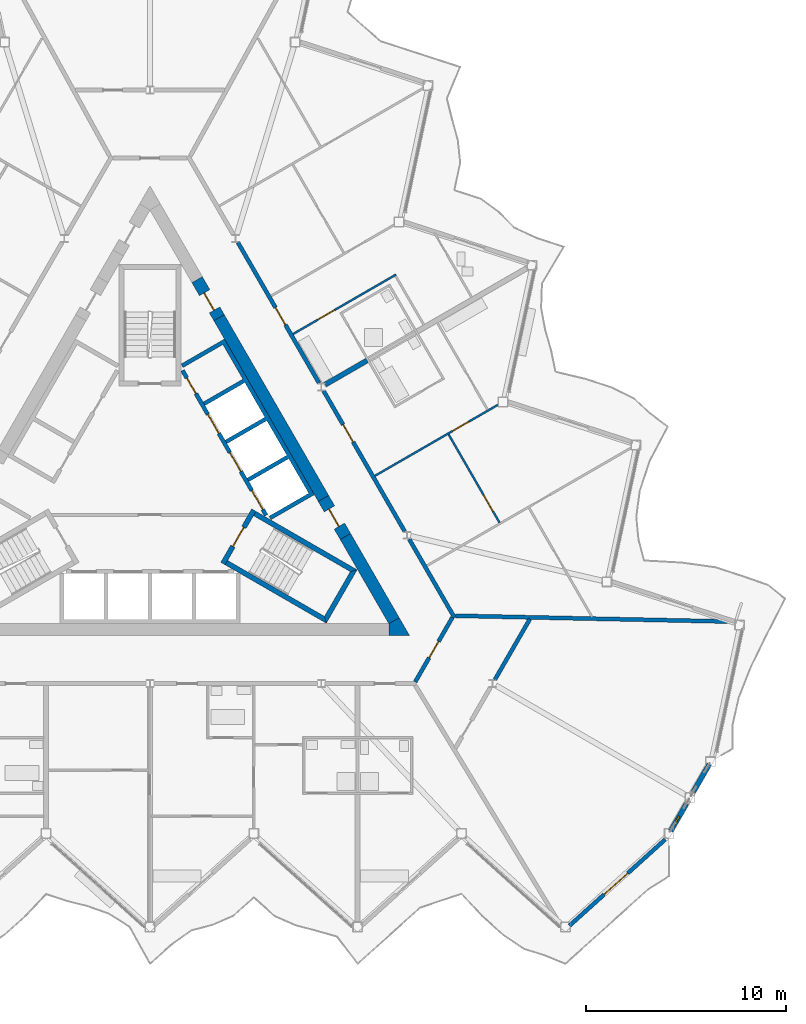
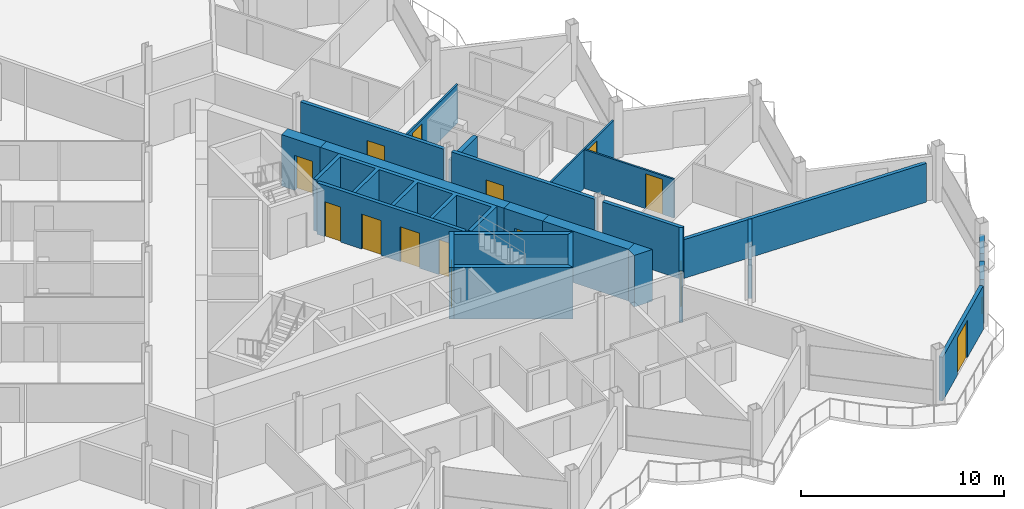
# One storey, part 15 of 25: 24 walls, 14 doors, 1 window, 15 openings.
"""IFC4 building model written with IfcOpenShell, lengths in metres."""

from ifc_helpers import new_model, si_unit, direction, frame, frame_2d, origin, place, context, subcontext, project, spatial, polyline, rectangle, outline, extrude, material, layer, layer_set, type_object, element, fill, save


model = new_model("IFC4")

# Units and contexts
model_context = context("Model", 3, precision=1e-05, world=origin(), true_north=direction((0.0, 1.0)))
body_context = subcontext(model_context, "Body", "Model", "MODEL_VIEW")
ifc_project = project(units=[si_unit("LENGTHUNIT", "METRE"), si_unit("AREAUNIT", "SQUARE_METRE"), si_unit("VOLUMEUNIT", "CUBIC_METRE"), si_unit("PLANEANGLEUNIT", "RADIAN"), si_unit("MASSUNIT", "GRAM", prefix="KILO")], contexts=[model_context])

# Site, building, storey
site_placement = place(None, origin())
site = spatial("IfcSite", under=ifc_project, at=site_placement, CompositionType="ELEMENT")
building_placement = place(site_placement, origin())
building = spatial("IfcBuilding", under=site, at=building_placement, Name="Cormorant Prow Tower", CompositionType="ELEMENT")
storey_placement = place(building_placement, frame((0.0, 0.0, 395.0)))
storey = spatial("IfcBuildingStorey", under=building, at=storey_placement, Name="L90", CompositionType="ELEMENT", Elevation=395.0)

# Walls
ifc_material_1 = material(Name="Concrete 8000 psi", Category="concrete")
ifc_layer_1 = layer(ifc_material_1, 0.60009765625)
ifc_layer_set_1 = layer_set([ifc_layer_1], Name="Concrete 8000 psi")
wall_type_1 = type_object("IfcWallType", Name="Core shear wall 600", PredefinedType="SHEAR", material=ifc_layer_set_1)
wall_1_placement = place(storey_placement, frame((8.686279296875, -0.6337890625, 0.0), z_axis=(0.0, 0.0, 1.0), x_axis=(-0.50001836461, 0.866014800712, 0.0)))
element("IfcWall", 1, at=wall_1_placement, inside=storey, type_object=wall_type_1, Name="Core wall", PredefinedType="SHEAR", context=body_context, shape_type="SweptSolid", body=[
    extrude(rectangle(XDim=10.45068359375, YDim=0.60009765625, at=frame_2d((5.225341796875, 0.0))), origin(), (0.0, 0.0, 1.0), 3.10009765625),
])
wall_2_placement = place(storey_placement, frame((12.220703125, -6.755615234375, 0.0), z_axis=(0.0, 0.0, 1.0), x_axis=(-0.50000604952, 0.866021911064, 0.0)))
element("IfcWall", 2, at=wall_2_placement, inside=storey, type_object=wall_type_1, Name="Core wall", PredefinedType="SHEAR", context=body_context, shape_type="SweptSolid", body=[
    extrude(rectangle(XDim=4.86865234375, YDim=0.60009765625, at=frame_2d((2.434326171875, 0.0))), origin(), (0.0, 0.0, 1.0), 3.10009765625),
])
wall_3_placement = place(storey_placement, origin())
element("IfcWall", 3, at=wall_3_placement, inside=storey, type_object=wall_type_1, Name="Core wall corner", PredefinedType="SHEAR", context=body_context, shape_type="SweptSolid", body=[
    extrude(outline(polyline([(11.960693359375, -7.505615234375), (11.960693359375, -6.905517578125), (12.48046875, -6.605712890625), (13.0, -7.505615234375), (11.960693359375, -7.505615234375)])), origin(), (0.0, 0.0, 1.0), 3.10009765625),
])

# Wall, opening, door
wall_4_placement = place(storey_placement, frame((9.786376953125, -2.539306640625, 0.0), z_axis=(0.0, 0.0, 1.0), x_axis=(-0.499981787252, 0.866035918664, 0.0)))
wall_4 = element("IfcWall", 4, at=wall_4_placement, inside=storey, type_object=wall_type_1, Name="Core wall door panel", PredefinedType="SHEAR", context=body_context, shape_type="SweptSolid", body=[
    extrude(rectangle(XDim=2.2001953125, YDim=0.60009765625, at=frame_2d((1.10009765625, 0.0))), origin(), (0.0, 0.0, 1.0), 3.10009765625),
])
opening_1_placement = place(wall_4_placement, frame((0.60009765625, 0.0, 0.0)))
opening_1 = element("IfcOpeningElement", 5, at=opening_1_placement, cuts=wall_4, Name="Opening L90-C16", PredefinedType="OPENING", context=body_context, shape_type="SweptSolid", body=[
    extrude(rectangle(XDim=1.0, YDim=2.10009765625, at=frame_2d((0.5, 1.050048828125))), frame((0.0, 0.31005859375, 0.0), z_axis=(0.0, -1.0, 0.0), x_axis=(1.0, 0.0, 0.0)), (0.0, 0.0, 1.0), 0.6201171875),
])
ifc_material_2 = material(Name="Painted steel", Category="steel")
door_type_1 = type_object("IfcDoorType", Name="Service door 1000x2100", OperationType="NOTDEFINED", PredefinedType="DOOR", material=ifc_material_2)
door_1_placement = place(opening_1_placement, origin())
door_1 = element("IfcDoor", 6, at=door_1_placement, inside=storey, type_object=door_type_1, Name="Core door, Telecom room", OperationType="SINGLE_SWING_LEFT", OverallHeight=2.10009765625, OverallWidth=1.0, PredefinedType="DOOR", context=body_context, shape_type="SweptSolid", body=[
    extrude(rectangle(XDim=1.0, YDim=2.10009765625, at=frame_2d((0.5, 1.050048828125))), frame((0.0, 0.05517578125, 0.0), z_axis=(0.0, -1.0, 0.0), x_axis=(1.0, 0.0, 0.0)), (0.0, 0.0, 1.0), 0.050048828125),
])
fill(opening_1, door_1)

wall_5_placement = place(storey_placement, frame((3.460693359375, 8.416748046875, 0.0), z_axis=(0.0, 0.0, 1.0), x_axis=(-0.499946605688, 0.86605622881, 0.0)))
wall_5 = element("IfcWall", 7, at=wall_5_placement, inside=storey, type_object=wall_type_1, Name="Core wall door panel", PredefinedType="SHEAR", context=body_context, shape_type="SweptSolid", body=[
    extrude(rectangle(XDim=2.199951171875, YDim=0.60009765625, at=frame_2d((1.10009765625, 0.0))), origin(), (0.0, 0.0, 1.0), 3.10009765625),
])
opening_2_placement = place(wall_5_placement, frame((0.449951171875, 0.0, 0.0)))
opening_2 = element("IfcOpeningElement", 8, at=opening_2_placement, cuts=wall_5, Name="Opening L90-C17", PredefinedType="OPENING", context=body_context, shape_type="SweptSolid", body=[
    extrude(rectangle(XDim=1.0, YDim=2.10009765625, at=frame_2d((0.5, 1.050048828125))), frame((0.0, 0.31005859375, 0.0), z_axis=(0.0, -1.0, 0.0), x_axis=(1.0, 0.0, 0.0)), (0.0, 0.0, 1.0), 0.6201171875),
])
door_2_placement = place(opening_2_placement, origin())
door_2 = element("IfcDoor", 9, at=door_2_placement, inside=storey, type_object=door_type_1, Name="Core door, Mechanical riser room", OperationType="SINGLE_SWING_RIGHT", OverallHeight=2.10009765625, OverallWidth=1.0, PredefinedType="DOOR", context=body_context, shape_type="SweptSolid", body=[
    extrude(rectangle(XDim=1.0, YDim=2.10009765625, at=frame_2d((0.5, 1.050048828125))), frame((0.0, 0.05517578125, 0.0), z_axis=(0.0, -1.0, 0.0), x_axis=(1.0, 0.0, 0.0)), (0.0, 0.0, 1.0), 0.050048828125),
])
fill(opening_2, door_2)

ifc_material_3 = material(Name="Gypsum board corridor wall")
ifc_layer_2 = layer(ifc_material_3, 0.199951171875)
ifc_layer_set_2 = layer_set([ifc_layer_2], Name="Gypsum board corridor wall")
wall_type_2 = type_object("IfcWallType", Name="Corridor wall 200", PredefinedType="PARTITIONING", material=ifc_layer_set_2)
wall_6_placement = place(storey_placement, frame((4.403076171875, 12.184814453125, 0.0), z_axis=(0.0, 0.0, 1.0), x_axis=(0.499992155518, -0.866029932751, 0.0)))
wall_6 = element("IfcWall", 10, at=wall_6_placement, inside=storey, type_object=wall_type_2, Name="Corridor wall", PredefinedType="PARTITIONING", context=body_context, shape_type="SweptSolid", body=[
    extrude(rectangle(XDim=8.123291015625, YDim=0.199951171875, at=frame_2d((4.0615234375, 0.0))), origin(), (0.0, 0.0, 1.0), 3.10009765625),
])
opening_3_placement = place(wall_6_placement, frame((3.762451171875, 0.0, 0.0)))
opening_3 = element("IfcOpeningElement", 11, at=opening_3_placement, cuts=wall_6, Name="Opening L90-F25", PredefinedType="OPENING", context=body_context, shape_type="SweptSolid", body=[
    extrude(rectangle(XDim=1.0, YDim=2.10009765625, at=frame_2d((0.5, 1.050048828125))), frame((0.0, 0.10986328125, 0.0), z_axis=(0.0, -1.0, 0.0), x_axis=(1.0, 0.0, 0.0)), (0.0, 0.0, 1.0), 0.219970703125),
])
ifc_material_4 = material(Name="Timber door leaf", Category="wood")
door_type_2 = type_object("IfcDoorType", Name="Flat or room entrance door 1000x2100", OperationType="NOTDEFINED", PredefinedType="DOOR", material=ifc_material_4)
door_3_placement = place(opening_3_placement, origin())
door_3 = element("IfcDoor", 12, at=door_3_placement, inside=storey, type_object=door_type_2, Name="Living room door", OperationType="SINGLE_SWING_LEFT", OverallHeight=2.10009765625, OverallWidth=1.0, PredefinedType="DOOR", context=body_context, shape_type="SweptSolid", body=[
    extrude(rectangle(XDim=1.0, YDim=2.10009765625, at=frame_2d((0.5, 1.050048828125))), frame((0.0, 0.02490234375, 0.0), z_axis=(0.0, -1.0, 0.0), x_axis=(1.0, 0.0, 0.0)), (0.0, 0.0, 1.0), 0.050048828125),
])
fill(opening_3, door_3)

wall_7_placement = place(storey_placement, frame((8.692138671875, 4.755859375, 0.0), z_axis=(0.0, 0.0, 1.0), x_axis=(0.500001682468, -0.866024432409, 0.0)))
wall_7 = element("IfcWall", 13, at=wall_7_placement, inside=storey, type_object=wall_type_2, Name="Corridor wall", PredefinedType="PARTITIONING", context=body_context, shape_type="SweptSolid", body=[
    extrude(rectangle(XDim=8.12353515625, YDim=0.199951171875, at=frame_2d((4.061767578125, 0.0))), origin(), (0.0, 0.0, 1.0), 3.10009765625),
])
opening_4_placement = place(wall_7_placement, frame((1.9560546875, 0.0, 0.0)))
opening_4 = element("IfcOpeningElement", 14, at=opening_4_placement, cuts=wall_7, Name="Opening L90-F18", PredefinedType="OPENING", context=body_context, shape_type="SweptSolid", body=[
    extrude(rectangle(XDim=1.0, YDim=2.10009765625, at=frame_2d((0.5, 1.050048828125))), frame((0.0, 0.10986328125, 0.0), z_axis=(0.0, -1.0, 0.0), x_axis=(1.0, 0.0, 0.0)), (0.0, 0.0, 1.0), 0.219970703125),
])
door_4_placement = place(opening_4_placement, origin())
door_4 = element("IfcDoor", 15, at=door_4_placement, inside=storey, type_object=door_type_2, Name="Living room door", OperationType="SINGLE_SWING_LEFT", OverallHeight=2.10009765625, OverallWidth=1.0, PredefinedType="DOOR", context=body_context, shape_type="SweptSolid", body=[
    extrude(rectangle(XDim=1.0, YDim=2.10009765625, at=frame_2d((0.5, 1.050048828125))), frame((0.0, 0.02490234375, 0.0), z_axis=(0.0, -1.0, 0.0), x_axis=(1.0, 0.0, 0.0)), (0.0, 0.0, 1.0), 0.050048828125),
])
fill(opening_4, door_4)

# Wall
wall_8_placement = place(storey_placement, frame((12.9814453125, -2.67333984375, 0.0), z_axis=(0.0, 0.0, 1.0), x_axis=(0.499974648164, -0.866040040179, 0.0)))
element("IfcWall", 16, at=wall_8_placement, inside=storey, type_object=wall_type_2, Name="Corridor wall", PredefinedType="PARTITIONING", context=body_context, shape_type="SweptSolid", body=[
    extrude(rectangle(XDim=4.525146484375, YDim=0.199951171875, at=frame_2d((2.2626953125, 0.0))), origin(), (0.0, 0.0, 1.0), 3.10009765625),
])

# Wall, opening, door
wall_9_placement = place(storey_placement, frame((13.281005859375, -9.819091796875, 0.0), z_axis=(0.0, 0.0, 1.0), x_axis=(0.499958791762, 0.866049194065, 0.0)))
wall_9 = element("IfcWall", 17, at=wall_9_placement, inside=storey, type_object=wall_type_2, Name="Corridor wall", PredefinedType="PARTITIONING", context=body_context, shape_type="SweptSolid", body=[
    extrude(rectangle(XDim=3.725830078125, YDim=0.199951171875, at=frame_2d((1.86279296875, 0.0))), origin(), (0.0, 0.0, 1.0), 3.10009765625),
])
opening_5_placement = place(wall_9_placement, frame((1.387939453125, 0.0, 0.0)))
opening_5 = element("IfcOpeningElement", 18, at=opening_5_placement, cuts=wall_9, Name="Opening L90-F16", PredefinedType="OPENING", context=body_context, shape_type="SweptSolid", body=[
    extrude(rectangle(XDim=0.949951171875, YDim=2.10009765625, at=frame_2d((0.47509765625, 1.050048828125))), frame((0.0, 0.10986328125, 0.0), z_axis=(0.0, -1.0, 0.0), x_axis=(1.0, 0.0, 0.0)), (0.0, 0.0, 1.0), 0.219970703125),
])
ifc_material_5 = material(Name="Timber door leaf", Category="wood")
door_type_3 = type_object("IfcDoorType", Name="Store door 950x2100", OperationType="NOTDEFINED", PredefinedType="DOOR", material=ifc_material_5)
door_5_placement = place(opening_5_placement, origin())
door_5 = element("IfcDoor", 19, at=door_5_placement, inside=storey, type_object=door_type_3, Name="Refuse room door", OperationType="SINGLE_SWING_RIGHT", OverallHeight=2.10009765625, OverallWidth=0.949951171875, PredefinedType="DOOR", context=body_context, shape_type="SweptSolid", body=[
    extrude(rectangle(XDim=0.949951171875, YDim=2.10009765625, at=frame_2d((0.47509765625, 1.050048828125))), frame((0.0, 0.02490234375, 0.0), z_axis=(0.0, -1.0, 0.0), x_axis=(1.0, 0.0, 0.0)), (0.0, 0.0, 1.0), 0.050048828125),
])
fill(opening_5, door_5)

# Walls
ifc_material_6 = material(Name="Gypsum board demising wall")
ifc_layer_3 = layer(ifc_material_6, 0.199951171875)
ifc_layer_set_3 = layer_set([ifc_layer_3], Name="Gypsum board demising wall")
wall_type_3 = type_object("IfcWallType", Name="Demising wall 200", PredefinedType="PARTITIONING", material=ifc_layer_set_3)
wall_10_placement = place(storey_placement, frame((15.2939453125, -6.507568359375, 0.0), z_axis=(0.0, 0.0, 1.0), x_axis=(0.999775726416, -0.02117774467, 0.0)))
element("IfcWall", 20, at=wall_10_placement, inside=storey, type_object=wall_type_3, Name="Demising wall", PredefinedType="PARTITIONING", context=body_context, shape_type="SweptSolid", body=[
    extrude(rectangle(XDim=13.637939453125, YDim=0.199951171875, at=frame_2d((6.81884765625, 0.0))), origin(), (0.0, 0.0, 1.0), 2.330078125),
])
wall_11_placement = place(storey_placement, frame((17.270751953125, -9.70849609375, 0.0), z_axis=(0.0, 0.0, 1.0), x_axis=(0.499983843005, 0.866034731829, 0.0)))
element("IfcWall", 21, at=wall_11_placement, inside=storey, type_object=wall_type_3, Name="Demising wall", PredefinedType="PARTITIONING", context=body_context, shape_type="SweptSolid", body=[
    extrude(rectangle(XDim=3.50341796875, YDim=0.199951171875, at=frame_2d((1.751708984375, 0.0))), origin(), (0.0, 0.0, 1.0), 2.330078125),
])

# Wall, opening, door
ifc_material_7 = material(Name="Gypsum board partition")
ifc_layer_4 = layer(ifc_material_7, 0.10009765625)
ifc_layer_set_4 = layer_set([ifc_layer_4], Name="Gypsum board partition")
wall_type_4 = type_object("IfcWallType", Name="Internal partition 100", PredefinedType="PARTITIONING", material=ifc_layer_set_4)
wall_12_placement = place(storey_placement, frame((11.26513671875, 0.49951171875, 0.0), z_axis=(0.0, 0.0, 1.0), x_axis=(0.866033839264, 0.499985389037, 0.0)))
wall_12 = element("IfcWall", 22, at=wall_12_placement, inside=storey, type_object=wall_type_4, Name="Internal partition", PredefinedType="PARTITIONING", context=body_context, shape_type="SweptSolid", body=[
    extrude(rectangle(XDim=7.099853515625, YDim=0.10009765625, at=frame_2d((3.5498046875, 0.0))), origin(), (0.0, 0.0, 1.0), 2.330078125),
])
opening_6_placement = place(wall_12_placement, frame((4.487548828125, 0.0, 0.0)))
opening_6 = element("IfcOpeningElement", 23, at=opening_6_placement, cuts=wall_12, Name="Opening L90-F21", PredefinedType="OPENING", context=body_context, shape_type="SweptSolid", body=[
    extrude(rectangle(XDim=0.949951171875, YDim=2.10009765625, at=frame_2d((0.47509765625, 1.050048828125))), frame((0.0, 0.06005859375, 0.0), z_axis=(0.0, -1.0, 0.0), x_axis=(1.0, 0.0, 0.0)), (0.0, 0.0, 1.0), 0.1201171875),
])
ifc_material_8 = material(Name="Timber door leaf", Category="wood")
door_type_4 = type_object("IfcDoorType", Name="Bathroom door 950x2100", OperationType="NOTDEFINED", PredefinedType="DOOR", material=ifc_material_8)
door_6_placement = place(opening_6_placement, origin())
door_6 = element("IfcDoor", 24, at=door_6_placement, inside=storey, type_object=door_type_4, Name="Living room door", OperationType="SINGLE_SWING_LEFT", OverallHeight=2.10009765625, OverallWidth=0.949951171875, PredefinedType="DOOR", context=body_context, shape_type="SweptSolid", body=[
    extrude(rectangle(XDim=0.949951171875, YDim=2.10009765625, at=frame_2d((0.47509765625, 1.050048828125))), frame((0.0, 0.02490234375, 0.0), z_axis=(0.0, -1.0, 0.0), x_axis=(1.0, 0.0, 0.0)), (0.0, 0.0, 1.0), 0.050048828125),
])
fill(opening_6, door_6)

wall_13_placement = place(storey_placement, frame((7.1650390625, 7.600830078125, 0.0), z_axis=(0.0, 0.0, 1.0), x_axis=(0.866017493347, 0.500013701029, 0.0)))
wall_13 = element("IfcWall", 25, at=wall_13_placement, inside=storey, type_object=wall_type_4, Name="Internal partition", PredefinedType="PARTITIONING", context=body_context, shape_type="SweptSolid", body=[
    extrude(rectangle(XDim=5.949951171875, YDim=0.10009765625, at=frame_2d((2.97509765625, 0.0))), origin(), (0.0, 0.0, 1.0), 2.330078125),
])
opening_7_placement = place(wall_13_placement, frame((1.449951171875, 0.0, 0.0)))
opening_7 = element("IfcOpeningElement", 26, at=opening_7_placement, cuts=wall_13, Name="Opening L90-F27", PredefinedType="OPENING", context=body_context, shape_type="SweptSolid", body=[
    extrude(rectangle(XDim=0.949951171875, YDim=2.10009765625, at=frame_2d((0.47509765625, 1.050048828125))), frame((0.0, 0.06005859375, 0.0), z_axis=(0.0, -1.0, 0.0), x_axis=(1.0, 0.0, 0.0)), (0.0, 0.0, 1.0), 0.1201171875),
])
door_7_placement = place(opening_7_placement, origin())
door_7 = element("IfcDoor", 27, at=door_7_placement, inside=storey, type_object=door_type_4, Name="Living room door", OperationType="SINGLE_SWING_RIGHT", OverallHeight=2.10009765625, OverallWidth=0.949951171875, PredefinedType="DOOR", context=body_context, shape_type="SweptSolid", body=[
    extrude(rectangle(XDim=0.949951171875, YDim=2.10009765625, at=frame_2d((0.47509765625, 1.050048828125))), frame((0.0, 0.02490234375, 0.0), z_axis=(0.0, -1.0, 0.0), x_axis=(1.0, 0.0, 0.0)), (0.0, 0.0, 1.0), 0.050048828125),
])
fill(opening_7, door_7)

wall_14_placement = place(storey_placement, frame((14.954345703125, 2.57177734375, 0.0), z_axis=(0.0, 0.0, 1.0), x_axis=(0.499984882974, -0.866034131428, 0.0)))
wall_14 = element("IfcWall", 28, at=wall_14_placement, inside=storey, type_object=wall_type_4, Name="Internal partition", PredefinedType="PARTITIONING", context=body_context, shape_type="SweptSolid", body=[
    extrude(rectangle(XDim=5.100341796875, YDim=0.10009765625, at=frame_2d((2.55029296875, 0.0))), origin(), (0.0, 0.0, 1.0), 2.330078125),
])
opening_8_placement = place(wall_14_placement, frame((3.494384765625, 0.0, 0.0)))
opening_8 = element("IfcOpeningElement", 29, at=opening_8_placement, cuts=wall_14, Name="Opening L90-F22", PredefinedType="OPENING", context=body_context, shape_type="SweptSolid", body=[
    extrude(rectangle(XDim=0.949951171875, YDim=2.10009765625, at=frame_2d((0.47509765625, 1.050048828125))), frame((0.0, 0.06005859375, 0.0), z_axis=(0.0, -1.0, 0.0), x_axis=(1.0, 0.0, 0.0)), (0.0, 0.0, 1.0), 0.1201171875),
])
door_8_placement = place(opening_8_placement, origin())
door_8 = element("IfcDoor", 30, at=door_8_placement, inside=storey, type_object=door_type_4, Name="Bedroom door", OperationType="SINGLE_SWING_RIGHT", OverallHeight=2.10009765625, OverallWidth=0.949951171875, PredefinedType="DOOR", context=body_context, shape_type="SweptSolid", body=[
    extrude(rectangle(XDim=0.949951171875, YDim=2.10009765625, at=frame_2d((0.47509765625, 1.050048828125))), frame((0.0, 0.02490234375, 0.0), z_axis=(0.0, -1.0, 0.0), x_axis=(1.0, 0.0, 0.0)), (0.0, 0.0, 1.0), 0.050048828125),
])
fill(opening_8, door_8)

# Wall, openings, doors
ifc_material_9 = material(Name="Concrete 5000 psi", Category="concrete")
ifc_layer_5 = layer(ifc_material_9, 0.199951171875)
ifc_layer_set_5 = layer_set([ifc_layer_5], Name="Concrete 5000 psi")
wall_type_5 = type_object("IfcWallType", Name="Lift lobby wall 200", PredefinedType="SOLIDWALL", material=ifc_layer_set_5)
wall_15_placement = place(storey_placement, frame((5.817138671875, -1.4755859375, 0.0), z_axis=(0.0, 0.0, 1.0), x_axis=(-0.500002616675, 0.866023893041, 0.0)))
wall_15 = element("IfcWall", 31, at=wall_15_placement, inside=storey, type_object=wall_type_5, Name="Lift lobby wall, ENE block", PredefinedType="SOLIDWALL", context=body_context, shape_type="SweptSolid", body=[
    extrude(rectangle(XDim=8.373046875, YDim=0.199951171875, at=frame_2d((4.1865234375, 0.0))), origin(), (0.0, 0.0, 1.0), 3.10009765625),
])
opening_9_placement = place(wall_15_placement, frame((0.336669921875, 0.0, 0.0)))
opening_9 = element("IfcOpeningElement", 32, at=opening_9_placement, cuts=wall_15, Name="Opening L90-C05", PredefinedType="OPENING", context=body_context, shape_type="SweptSolid", body=[
    extrude(rectangle(XDim=1.10009765625, YDim=2.10009765625, at=frame_2d((0.550048828125, 1.050048828125))), frame((0.0, 0.10986328125, 0.0), z_axis=(0.0, -1.0, 0.0), x_axis=(1.0, 0.0, 0.0)), (0.0, 0.0, 1.0), 0.219970703125),
])
opening_10_placement = place(wall_15_placement, frame((2.53662109375, 0.0, 0.0)))
opening_10 = element("IfcOpeningElement", 33, at=opening_10_placement, cuts=wall_15, Name="Opening L90-C06", PredefinedType="OPENING", context=body_context, shape_type="SweptSolid", body=[
    extrude(rectangle(XDim=1.10009765625, YDim=2.10009765625, at=frame_2d((0.550048828125, 1.050048828125))), frame((0.0, 0.10986328125, 0.0), z_axis=(0.0, -1.0, 0.0), x_axis=(1.0, 0.0, 0.0)), (0.0, 0.0, 1.0), 0.219970703125),
])
opening_11_placement = place(wall_15_placement, frame((4.736572265625, 0.0, 0.0)))
opening_11 = element("IfcOpeningElement", 34, at=opening_11_placement, cuts=wall_15, Name="Opening L90-C07", PredefinedType="OPENING", context=body_context, shape_type="SweptSolid", body=[
    extrude(rectangle(XDim=1.10009765625, YDim=2.10009765625, at=frame_2d((0.550048828125, 1.050048828125))), frame((0.0, 0.10986328125, 0.0), z_axis=(0.0, -1.0, 0.0), x_axis=(1.0, 0.0, 0.0)), (0.0, 0.0, 1.0), 0.219970703125),
])
opening_12_placement = place(wall_15_placement, frame((7.03662109375, 0.0, 0.0)))
opening_12 = element("IfcOpeningElement", 35, at=opening_12_placement, cuts=wall_15, Name="Opening L90-C08", PredefinedType="OPENING", context=body_context, shape_type="SweptSolid", body=[
    extrude(rectangle(XDim=0.89990234375, YDim=2.10009765625, at=frame_2d((0.449951171875, 1.050048828125))), frame((0.0, 0.10986328125, 0.0), z_axis=(0.0, -1.0, 0.0), x_axis=(1.0, 0.0, 0.0)), (0.0, 0.0, 1.0), 0.219970703125),
])
ifc_material_10 = material(Name="Painted steel", Category="steel")
door_type_5 = type_object("IfcDoorType", Name="Lift landing door 1100x2100", OperationType="SLIDING_TO_LEFT", PredefinedType="DOOR", material=ifc_material_10)
door_9_placement = place(opening_9_placement, origin())
door_9 = element("IfcDoor", 36, at=door_9_placement, inside=storey, type_object=door_type_5, Name="Landing door HR2", OperationType="SLIDING_TO_LEFT", OverallHeight=2.10009765625, OverallWidth=1.10009765625, PredefinedType="DOOR", context=body_context, shape_type="SweptSolid", body=[
    extrude(rectangle(XDim=1.10009765625, YDim=2.10009765625, at=frame_2d((0.550048828125, 1.050048828125))), frame((0.0, 0.02490234375, 0.0), z_axis=(0.0, -1.0, 0.0), x_axis=(1.0, 0.0, 0.0)), (0.0, 0.0, 1.0), 0.050048828125),
])
fill(opening_9, door_9)
door_10_placement = place(opening_10_placement, origin())
door_10 = element("IfcDoor", 37, at=door_10_placement, inside=storey, type_object=door_type_5, Name="Landing door HR3", OperationType="SLIDING_TO_LEFT", OverallHeight=2.10009765625, OverallWidth=1.10009765625, PredefinedType="DOOR", context=body_context, shape_type="SweptSolid", body=[
    extrude(rectangle(XDim=1.10009765625, YDim=2.10009765625, at=frame_2d((0.550048828125, 1.050048828125))), frame((0.0, 0.02490234375, 0.0), z_axis=(0.0, -1.0, 0.0), x_axis=(1.0, 0.0, 0.0)), (0.0, 0.0, 1.0), 0.050048828125),
])
fill(opening_10, door_10)
door_11_placement = place(opening_11_placement, origin())
door_11 = element("IfcDoor", 38, at=door_11_placement, inside=storey, type_object=door_type_5, Name="Landing door HR4", OperationType="SLIDING_TO_LEFT", OverallHeight=2.10009765625, OverallWidth=1.10009765625, PredefinedType="DOOR", context=body_context, shape_type="SweptSolid", body=[
    extrude(rectangle(XDim=1.10009765625, YDim=2.10009765625, at=frame_2d((0.550048828125, 1.050048828125))), frame((0.0, 0.02490234375, 0.0), z_axis=(0.0, -1.0, 0.0), x_axis=(1.0, 0.0, 0.0)), (0.0, 0.0, 1.0), 0.050048828125),
])
fill(opening_11, door_11)
ifc_material_11 = material(Name="Painted steel", Category="steel")
door_type_6 = type_object("IfcDoorType", Name="Service door 900x2100", OperationType="NOTDEFINED", PredefinedType="DOOR", material=ifc_material_11)
door_12_placement = place(opening_12_placement, origin())
door_12 = element("IfcDoor", 39, at=door_12_placement, inside=storey, type_object=door_type_6, Name="Service door, Telecom room", OperationType="SINGLE_SWING_RIGHT", OverallHeight=2.10009765625, OverallWidth=0.89990234375, PredefinedType="DOOR", context=body_context, shape_type="SweptSolid", body=[
    extrude(rectangle(XDim=0.89990234375, YDim=2.10009765625, at=frame_2d((0.449951171875, 1.050048828125))), frame((0.0, 0.02490234375, 0.0), z_axis=(0.0, -1.0, 0.0), x_axis=(1.0, 0.0, 0.0)), (0.0, 0.0, 1.0), 0.050048828125),
])
fill(opening_12, door_12)

# Walls
ifc_material_12 = material(Name="Concrete 8000 psi", Category="concrete")
ifc_layer_6 = layer(ifc_material_12, 0.199951171875)
ifc_layer_set_6 = layer_set([ifc_layer_6], Name="Concrete 8000 psi")
wall_type_6 = type_object("IfcWallType", Name="Lift shaft wall 200", PredefinedType="SHEAR", material=ifc_layer_set_6)
wall_16_placement = place(storey_placement, origin())
element("IfcWall", 40, at=wall_16_placement, inside=storey, type_object=wall_type_6, Name="Lift shaft walls, ENE block", PredefinedType="SHEAR", context=body_context, shape_type="SweptSolid", body=[
    extrude(outline(polyline([(1.560546875, 6.09716796875), (3.730712890625, 7.35009765625), (8.230712890625, -0.444091796875), (6.060546875, -1.697021484375), (5.96044921875, -1.52392578125), (7.952392578125, -0.373779296875), (6.952392578125, 1.358154296875), (4.96044921875, 0.2080078125), (4.860595703125, 0.38134765625), (6.852294921875, 1.53125), (5.852294921875, 3.263427734375), (3.860595703125, 2.11328125), (3.760498046875, 2.28662109375), (5.75244140625, 3.4365234375), (4.75244140625, 5.168701171875), (2.760498046875, 4.018798828125), (2.660400390625, 4.19189453125), (4.65234375, 5.341796875), (3.65234375, 7.073974609375), (1.660400390625, 5.923828125), (1.560546875, 6.09716796875)])), origin(), (0.0, 0.0, 1.0), 3.10009765625),
])
ifc_material_13 = material(Name="Concrete 8000 psi", Category="concrete")
ifc_layer_7 = layer(ifc_material_13, 0.25)
ifc_layer_set_7 = layer_set([ifc_layer_7], Name="Concrete 8000 psi")
wall_type_7 = type_object("IfcWallType", Name="Stair wall 250", PredefinedType="SHEAR", material=ifc_layer_set_7)
wall_17_placement = place(storey_placement, origin())
element("IfcWall", 41, at=wall_17_placement, inside=storey, type_object=wall_type_7, Name="Stair ST2 enclosure wall (flank)", PredefinedType="SHEAR", context=body_context, shape_type="SweptSolid", body=[
    extrude(outline(polyline([(3.76318359375, -3.95556640625), (8.82958984375, -6.880615234375), (8.738037109375, -6.5390625), (3.88818359375, -3.739013671875), (3.76318359375, -3.95556640625)])), origin(), (0.0, 0.0, 1.0), 3.10009765625),
])
wall_18_placement = place(storey_placement, origin())
element("IfcWall", 42, at=wall_18_placement, inside=storey, type_object=wall_type_7, Name="Stair ST2 enclosure wall (end)", PredefinedType="SHEAR", context=body_context, shape_type="SweptSolid", body=[
    extrude(outline(polyline([(8.82958984375, -6.880615234375), (10.37353515625, -4.206298828125), (10.031982421875, -4.2978515625), (8.738037109375, -6.5390625), (8.82958984375, -6.880615234375)])), origin(), (0.0, 0.0, 1.0), 3.10009765625),
])
wall_19_placement = place(storey_placement, origin())
element("IfcWall", 43, at=wall_19_placement, inside=storey, type_object=wall_type_7, Name="Stair ST2 enclosure wall (flank)", PredefinedType="SHEAR", context=body_context, shape_type="SweptSolid", body=[
    extrude(outline(polyline([(10.031982421875, -4.2978515625), (10.37353515625, -4.206298828125), (5.30712890625, -1.28125), (5.18212890625, -1.497802734375), (10.031982421875, -4.2978515625)])), origin(), (0.0, 0.0, 1.0), 3.10009765625),
])

# Wall, opening, door
wall_20_placement = place(storey_placement, frame((3.655029296875, -3.89306640625, 0.0), z_axis=(0.0, 0.0, 1.0), x_axis=(0.499982516597, 0.866035497597, 0.0)))
wall_20 = element("IfcWall", 44, at=wall_20_placement, inside=storey, type_object=wall_type_7, Name="Stair ST2 door wall", PredefinedType="SHEAR", context=body_context, shape_type="SweptSolid", body=[
    extrude(rectangle(XDim=3.087890625, YDim=0.25, at=frame_2d((1.5439453125, 0.0))), origin(), (0.0, 0.0, 1.0), 3.10009765625),
])
opening_13_placement = place(wall_20_placement, frame((0.993896484375, 0.0, 0.0)))
opening_13 = element("IfcOpeningElement", 45, at=opening_13_placement, cuts=wall_20, Name="Opening L90-C13", PredefinedType="OPENING", context=body_context, shape_type="SweptSolid", body=[
    extrude(rectangle(XDim=1.10009765625, YDim=2.10009765625, at=frame_2d((0.550048828125, 1.050048828125))), frame((0.0, 0.135009765625, 0.0), z_axis=(0.0, -1.0, 0.0), x_axis=(1.0, 0.0, 0.0)), (0.0, 0.0, 1.0), 0.27001953125),
])
ifc_material_14 = material(Name="Painted steel", Category="steel")
door_type_7 = type_object("IfcDoorType", Name="Stair door 1100x2100", OperationType="NOTDEFINED", PredefinedType="DOOR", material=ifc_material_14)
door_13_placement = place(opening_13_placement, origin())
door_13 = element("IfcDoor", 46, at=door_13_placement, inside=storey, type_object=door_type_7, Name="Stair ST2 door", OperationType="SINGLE_SWING_RIGHT", OverallHeight=2.10009765625, OverallWidth=1.10009765625, PredefinedType="DOOR", context=body_context, shape_type="SweptSolid", body=[
    extrude(rectangle(XDim=1.10009765625, YDim=2.10009765625, at=frame_2d((0.550048828125, 1.050048828125))), frame((0.0, 0.02490234375, 0.0), z_axis=(0.0, -1.0, 0.0), x_axis=(1.0, 0.0, 0.0)), (0.0, 0.0, 1.0), 0.050048828125),
])
fill(opening_13, door_13)

# Wall
ifc_material_15 = material(Name="Acoustic gypsum party wall")
ifc_layer_8 = layer(ifc_material_15, 0.25)
ifc_layer_set_8 = layer_set([ifc_layer_8], Name="Acoustic gypsum party wall")
wall_type_8 = type_object("IfcWallType", Name="Suite party wall 250", PredefinedType="PARTITIONING", material=ifc_layer_set_8)
wall_21_placement = place(storey_placement, frame((8.775390625, 5.06640625, 0.0), z_axis=(0.0, 0.0, 1.0), x_axis=(0.865989219354, 0.500062668036, 0.0)))
element("IfcWall", 47, at=wall_21_placement, inside=storey, type_object=wall_type_8, Name="Suite party wall", PredefinedType="PARTITIONING", context=body_context, shape_type="SweptSolid", body=[
    extrude(rectangle(XDim=2.422607421875, YDim=0.25, at=frame_2d((1.21142578125, 0.0))), origin(), (0.0, 0.0, 1.0), 2.330078125),
])

# Wall, opening, window
ifc_material_16 = material(Name="Terracotta", Category="masonry")
ifc_layer_9 = layer(ifc_material_16, 0.25)
ifc_layer_set_9 = layer_set([ifc_layer_9], Name="Terracotta")
wall_type_9 = type_object("IfcWallType", Name="Terracotta bay wall 250", PredefinedType="SOLIDWALL", material=ifc_layer_set_9)
wall_22_placement = place(storey_placement, frame((26.07470703125, -17.285400390625, 0.0), z_axis=(0.0, 0.0, 1.0), x_axis=(0.500017882314, 0.866015079179, 0.0)))
wall_22 = element("IfcWall", 48, at=wall_22_placement, inside=storey, type_object=wall_type_9, Name="Terracotta bay wall ESE00", PredefinedType="SOLIDWALL", context=body_context, shape_type="SweptSolid", body=[
    extrude(rectangle(XDim=1.59765625, YDim=0.25, at=frame_2d((0.798828125, 0.0))), origin(), (0.0, 0.0, 1.0), 2.6337890625),
])
opening_14_placement = place(wall_22_placement, frame((0.25, 0.0, 0.39990234375)))
opening_14 = element("IfcOpeningElement", 49, at=opening_14_placement, cuts=wall_22, Name="Opening WN10", PredefinedType="OPENING", context=body_context, shape_type="SweptSolid", body=[
    extrude(rectangle(XDim=0.60009765625, YDim=0.60009765625, at=frame_2d((0.300048828125, 0.300048828125))), frame((0.0, 0.135009765625, 0.0), z_axis=(0.0, -1.0, 0.0), x_axis=(1.0, 0.0, 0.0)), (0.0, 0.0, 1.0), 0.27001953125),
])
ifc_material_17 = material(Name="Aluminium 6063-T6", Category="aluminium")
window_type = type_object("IfcWindowType", Name="Corner bay window 600x600", PartitioningType="SINGLE_PANEL", PredefinedType="WINDOW", material=ifc_material_17)
window_placement = place(opening_14_placement, origin())
window = element("IfcWindow", 50, at=window_placement, inside=storey, type_object=window_type, Name="Corner bay window ESE00", OverallHeight=0.60009765625, OverallWidth=0.60009765625, PartitioningType="SINGLE_PANEL", PredefinedType="WINDOW", context=body_context, shape_type="SweptSolid", body=[
    extrude(rectangle(XDim=0.60009765625, YDim=0.60009765625, at=frame_2d((0.300048828125, 0.300048828125))), frame((0.0, 0.030029296875, 0.0), z_axis=(0.0, -1.0, 0.0), x_axis=(1.0, 0.0, 0.0)), (0.0, 0.0, 1.0), 0.06005859375),
])
fill(opening_14, window)

# Wall
wall_23_placement = place(storey_placement, frame((27.200927734375, -15.334716796875, 0.0), z_axis=(0.0, 0.0, 1.0), x_axis=(0.499967189098, 0.866044346339, 0.0)))
element("IfcWall", 51, at=wall_23_placement, inside=storey, type_object=wall_type_9, Name="Terracotta bay wall ESE01", PredefinedType="SOLIDWALL", context=body_context, shape_type="SweptSolid", body=[
    extrude(rectangle(XDim=1.61181640625, YDim=0.25, at=frame_2d((0.805908203125, 0.0))), origin(), (0.0, 0.0, 1.0), 2.6337890625),
])

# Wall, opening, door
ifc_material_18 = material(Name="Terracotta", Category="masonry")
ifc_layer_10 = layer(ifc_material_18, 0.199951171875)
ifc_layer_set_10 = layer_set([ifc_layer_10], Name="Terracotta")
wall_type_10 = type_object("IfcWallType", Name="Terracotta jamb wall 200", PredefinedType="SOLIDWALL", material=ifc_layer_set_10)
wall_24_placement = place(storey_placement, frame((21.005126953125, -22.027587890625, 0.0), z_axis=(0.0, 0.0, 1.0), x_axis=(0.743136196971, 0.669140189162, 0.0)))
wall_24 = element("IfcWall", 52, at=wall_24_placement, inside=storey, type_object=wall_type_10, Name="Terracotta jamb wall S09", PredefinedType="SOLIDWALL", context=body_context, shape_type="SweptSolid", body=[
    extrude(rectangle(XDim=6.456787109375, YDim=0.199951171875, at=frame_2d((3.228515625, 0.0))), origin(), (0.0, 0.0, 1.0), 2.6337890625),
])
opening_15_placement = place(wall_24_placement, frame((2.332763671875, 0.0, 0.0)))
opening_15 = element("IfcOpeningElement", 53, at=opening_15_placement, cuts=wall_24, Name="Opening ED90.05", PredefinedType="OPENING", context=body_context, shape_type="SweptSolid", body=[
    extrude(rectangle(XDim=1.60009765625, YDim=2.25, at=frame_2d((0.800048828125, 1.125))), frame((0.0, 0.10986328125, 0.0), z_axis=(0.0, -1.0, 0.0), x_axis=(1.0, 0.0, 0.0)), (0.0, 0.0, 1.0), 0.219970703125),
])
ifc_material_19 = material(Name="Aluminium 6063-T6", Category="aluminium")
door_type_8 = type_object("IfcDoorType", Name="Balcony door 1600x2250", OperationType="DOUBLE_DOOR_SINGLE_SWING", PredefinedType="DOOR", material=ifc_material_19)
door_14_placement = place(opening_15_placement, origin())
door_14 = element("IfcDoor", 54, at=door_14_placement, inside=storey, type_object=door_type_8, Name="Balcony door S09 ED90.05", OperationType="DOUBLE_DOOR_SINGLE_SWING", OverallHeight=2.25, OverallWidth=1.60009765625, PredefinedType="DOOR", context=body_context, shape_type="SweptSolid", body=[
    extrude(rectangle(XDim=1.60009765625, YDim=2.25, at=frame_2d((0.800048828125, 1.125))), frame((0.0, 0.02490234375, 0.0), z_axis=(0.0, -1.0, 0.0), x_axis=(1.0, 0.0, 0.0)), (0.0, 0.0, 1.0), 0.050048828125),
])
fill(opening_15, door_14)

save(model, "model.ifc")
